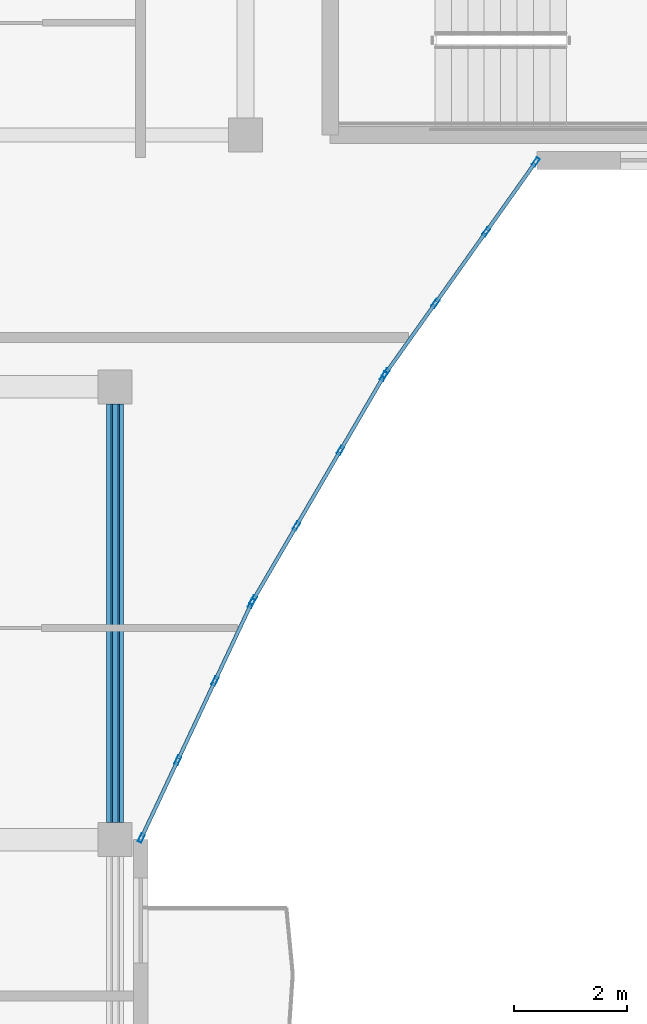
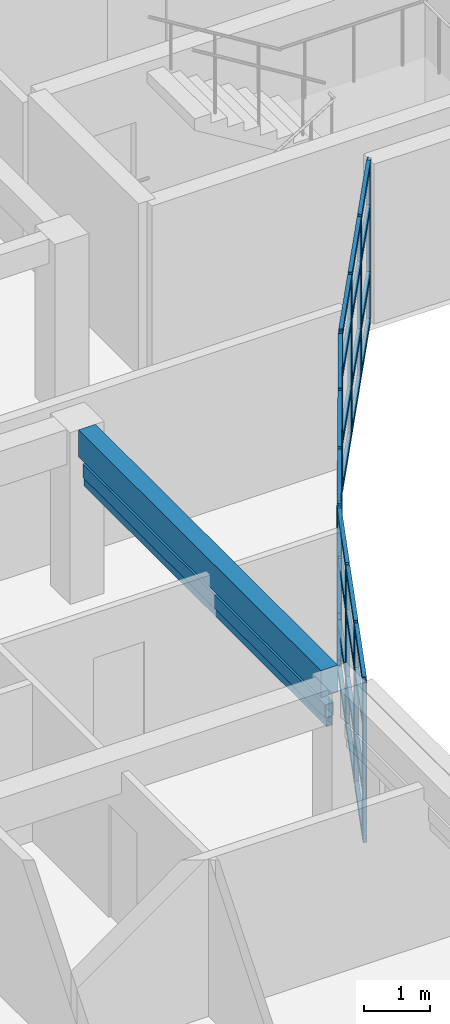
# One storey, part 2 of 71: 50 members, 1 beam, 3 elements without a shape of their own.
"""IFC4 building model written with IfcOpenShell, lengths in metres."""

from ifc_helpers import new_model, si_unit, direction, frame, origin, origin_2d, place, context, subcontext, project, spatial, rectangle, hollow_rectangle, extrude, material, layer, layer_set, material_profile, profile_set, type_object, element, aggregate, save


model = new_model("IFC4")

# Units and contexts
model_context = context("Model", 3, precision=1e-05, world=origin(), true_north=direction((0.0, 1.0)))
body_context = subcontext(model_context, "Body", "Model", "MODEL_VIEW")
ifc_project = project(units=[si_unit("LENGTHUNIT", "METRE"), si_unit("AREAUNIT", "SQUARE_METRE"), si_unit("VOLUMEUNIT", "CUBIC_METRE"), si_unit("PLANEANGLEUNIT", "RADIAN"), si_unit("MASSUNIT", "GRAM", prefix="KILO")], contexts=[model_context])

# Site, building, storey
site_placement = place(None, origin())
site = spatial("IfcSite", under=ifc_project, at=site_placement, CompositionType="ELEMENT")
building_placement = place(site_placement, origin())
building = spatial("IfcBuilding", under=site, at=building_placement, Name="Keldmere Railside Commons", CompositionType="ELEMENT")
storey_placement = place(building_placement, frame((0.0, 0.0, 20.159912109375)))
storey = spatial("IfcBuildingStorey", under=building, at=storey_placement, Name="L06", CompositionType="ELEMENT", Elevation=20.159912109375)

# Member
ifc_material_1 = material(Name="Steel F-36 (S355)", Category="steel")
ifc_material_profile_1 = material_profile(ifc_material_1, hollow_rectangle(XDim=0.14990234375, YDim=0.25, WallThickness=0.010009765625, at=origin_2d()), Name="RHS-250x150x10")
ifc_profile_set_1 = profile_set([ifc_material_profile_1], Name="Steel F-36 (S355)")
member_type_1 = type_object("IfcMemberType", Name="Balcony Continuous Planted Trough RHS250x150", PredefinedType="CHORD", material=ifc_profile_set_1)
member_1_placement = place(storey_placement, frame((23.550048828125, 88.300048828125, 2.4150390625), z_axis=(0.0, 1.0, 0.0), x_axis=(-1.0, 0.0, 0.0)))
element("IfcMember", 1, at=member_1_placement, inside=storey, type_object=member_type_1, Name="PLT-1 MEM-BPLT-0691", PredefinedType="CHORD", context=body_context, shape_type="SweptSolid", body=[
    extrude(hollow_rectangle(XDim=0.14990234375, YDim=0.25, WallThickness=0.010009765625, at=origin_2d()), origin(), (0.0, 0.0, 1.0), 7.39990234375),
])

# Beam
ifc_material_2 = material(Name="Concrete H-30 (C30/37)", Category="concrete")
ifc_material_profile_2 = material_profile(ifc_material_2, rectangle(XDim=0.300048828125, YDim=0.5, at=origin_2d()), Name="RC-300x500")
ifc_profile_set_2 = profile_set([ifc_material_profile_2], Name="Concrete H-30 (C30/37)")
beam_type = type_object("IfcBeamType", Name="Secondary Frame RC Beam 300x500", PredefinedType="BEAM", material=ifc_profile_set_2)
beam_placement = place(storey_placement, frame((23.550048828125, 88.300048828125, 2.9501953125), z_axis=(0.0, 1.0, 0.0), x_axis=(-1.0, 0.0, 0.0)))
element("IfcBeam", 2, at=beam_placement, inside=storey, type_object=beam_type, Name="BG-5 BM-L06-1952", PredefinedType="BEAM", context=body_context, shape_type="SweptSolid", body=[
    extrude(rectangle(XDim=0.300048828125, YDim=0.5, at=origin_2d()), origin(), (0.0, 0.0, 1.0), 7.39990234375),
])

# Member
ifc_material_profile_3 = material_profile(ifc_material_1, hollow_rectangle(XDim=0.10009765625, YDim=0.159912109375, WallThickness=0.008056640625, at=origin_2d()), Name="RHS-160x100x8")
ifc_profile_set_3 = profile_set([ifc_material_profile_3], Name="Steel F-36 (S355)")
member_type_2 = type_object("IfcMemberType", Name="Solar Brise-Soleil Louvre Fin RHS160x100", PredefinedType="STRUT", material=ifc_profile_set_3)
member_2_placement = place(storey_placement, frame((23.550048828125, 88.300048828125, 2.2001953125), z_axis=(0.0, 1.0, 0.0), x_axis=(-1.0, 0.0, 0.0)))
element("IfcMember", 3, at=member_2_placement, inside=storey, type_object=member_type_2, Name="BSF-1 MEM-BSF-0692", PredefinedType="STRUT", context=body_context, shape_type="SweptSolid", body=[
    extrude(hollow_rectangle(XDim=0.10009765625, YDim=0.159912109375, WallThickness=0.008056640625, at=origin_2d()), origin(), (0.0, 0.0, 1.0), 7.39990234375),
])

# Curtain wall, members
ifc_material_3 = material(Name="Thermally Broken Aluminium", Category="aluminium")
ifc_layer_1 = layer(ifc_material_3, 0.159912109375, Name="Court Chord Wintergarden CW 4800x2850")
ifc_layer_set_1 = layer_set([ifc_layer_1], Name="Thermally Broken Aluminium")
curtain_wall_type_1 = type_object("IfcCurtainWallType", Name="Court Chord Wintergarden CW 4800x2850", PredefinedType="NOTDEFINED", material=ifc_layer_set_1)
curtain_wall_1_placement = place(storey_placement, origin())
curtain_wall_1 = element("IfcCurtainWall", 4, at=curtain_wall_1_placement, inside=storey, type_object=curtain_wall_type_1, Name="CW-12 CW-L06-019", PredefinedType="NOTDEFINED")
ifc_material_profile_4 = material_profile(ifc_material_3, hollow_rectangle(XDim=0.06494140625, YDim=0.159912109375, WallThickness=0.00390625, at=origin_2d()), Name="ALU-MULL-65x160")
ifc_profile_set_4 = profile_set([ifc_material_profile_4], Name="Thermally Broken Aluminium")
member_type_3 = type_object("IfcMemberType", Name="Unitised Curtain Wall Mullion 65x160", PredefinedType="MULLION", material=ifc_profile_set_4)
member_3_placement = place(storey_placement, frame((25.958251953125, 92.173583984375, 0.0), z_axis=(0.0, 0.0, 1.0), x_axis=(0.905306255478, -0.424759442264, 0.0)))
member_3 = element("IfcMember", 5, at=member_3_placement, type_object=member_type_3, Name="CW-12 mullion 1", PredefinedType="MULLION", context=body_context, shape_type="SweptSolid", body=[
    extrude(hollow_rectangle(XDim=0.06494140625, YDim=0.159912109375, WallThickness=0.00390625, at=origin_2d()), origin(), (0.0, 0.0, 1.0), 2.97998046875),
])
member_4_placement = place(storey_placement, frame((25.314697265625, 90.802001953125, 0.0), z_axis=(0.0, 0.0, 1.0), x_axis=(0.905306255478, -0.424759442264, 0.0)))
member_4 = element("IfcMember", 6, at=member_4_placement, type_object=member_type_3, Name="CW-12 mullion 2", PredefinedType="MULLION", context=body_context, shape_type="SweptSolid", body=[
    extrude(hollow_rectangle(XDim=0.06494140625, YDim=0.159912109375, WallThickness=0.00390625, at=origin_2d()), origin(), (0.0, 0.0, 1.0), 2.97998046875),
])
member_5_placement = place(storey_placement, frame((24.6572265625, 89.40087890625, 0.0), z_axis=(0.0, 0.0, 1.0), x_axis=(0.905306255478, -0.424759442264, 0.0)))
member_5 = element("IfcMember", 7, at=member_5_placement, type_object=member_type_3, Name="CW-12 mullion 3", PredefinedType="MULLION", context=body_context, shape_type="SweptSolid", body=[
    extrude(hollow_rectangle(XDim=0.06494140625, YDim=0.159912109375, WallThickness=0.00390625, at=origin_2d()), origin(), (0.0, 0.0, 1.0), 2.97998046875),
])
member_6_placement = place(storey_placement, frame((24.013916015625, 88.029541015625, 0.0), z_axis=(0.0, 0.0, 1.0), x_axis=(0.905306255478, -0.424759442264, 0.0)))
member_6 = element("IfcMember", 8, at=member_6_placement, type_object=member_type_3, Name="CW-12 mullion 4", PredefinedType="MULLION", context=body_context, shape_type="SweptSolid", body=[
    extrude(hollow_rectangle(XDim=0.06494140625, YDim=0.159912109375, WallThickness=0.00390625, at=origin_2d()), origin(), (0.0, 0.0, 1.0), 2.97998046875),
])

ifc_layer_2 = layer(ifc_material_3, 0.159912109375, Name="Court Chord Wintergarden CW 5400x2850")
ifc_layer_set_2 = layer_set([ifc_layer_2], Name="Thermally Broken Aluminium")
curtain_wall_type_2 = type_object("IfcCurtainWallType", Name="Court Chord Wintergarden CW 5400x2850", PredefinedType="NOTDEFINED", material=ifc_layer_set_2)
curtain_wall_2_placement = place(storey_placement, origin())
curtain_wall_2 = element("IfcCurtainWall", 9, at=curtain_wall_2_placement, inside=storey, type_object=curtain_wall_type_2, Name="CW-13 CW-L06-020", PredefinedType="NOTDEFINED")
member_7_placement = place(storey_placement, frame((28.295654296875, 96.18603515625, 0.0), z_axis=(0.0, 0.0, 1.0), x_axis=(0.86375546846, -0.503911193272, 0.0)))
member_7 = element("IfcMember", 10, at=member_7_placement, type_object=member_type_3, Name="CW-13 mullion 1", PredefinedType="MULLION", context=body_context, shape_type="SweptSolid", body=[
    extrude(hollow_rectangle(XDim=0.06494140625, YDim=0.159912109375, WallThickness=0.00390625, at=origin_2d()), origin(), (0.0, 0.0, 1.0), 2.97998046875),
])
member_8_placement = place(storey_placement, frame((27.531982421875, 94.876953125, 0.0), z_axis=(0.0, 0.0, 1.0), x_axis=(0.86375546846, -0.503911193272, 0.0)))
member_8 = element("IfcMember", 11, at=member_8_placement, type_object=member_type_3, Name="CW-13 mullion 2", PredefinedType="MULLION", context=body_context, shape_type="SweptSolid", body=[
    extrude(hollow_rectangle(XDim=0.06494140625, YDim=0.159912109375, WallThickness=0.00390625, at=origin_2d()), origin(), (0.0, 0.0, 1.0), 2.97998046875),
])
member_9_placement = place(storey_placement, frame((26.751953125, 93.5400390625, 0.0), z_axis=(0.0, 0.0, 1.0), x_axis=(0.86375546846, -0.503911193272, 0.0)))
member_9 = element("IfcMember", 12, at=member_9_placement, type_object=member_type_3, Name="CW-13 mullion 3", PredefinedType="MULLION", context=body_context, shape_type="SweptSolid", body=[
    extrude(hollow_rectangle(XDim=0.06494140625, YDim=0.159912109375, WallThickness=0.00390625, at=origin_2d()), origin(), (0.0, 0.0, 1.0), 2.97998046875),
])
member_10_placement = place(storey_placement, frame((25.98828125, 92.23095703125, 0.0), z_axis=(0.0, 0.0, 1.0), x_axis=(0.86375546846, -0.503911193272, 0.0)))
member_10 = element("IfcMember", 13, at=member_10_placement, type_object=member_type_3, Name="CW-13 mullion 4", PredefinedType="MULLION", context=body_context, shape_type="SweptSolid", body=[
    extrude(hollow_rectangle(XDim=0.06494140625, YDim=0.159912109375, WallThickness=0.00390625, at=origin_2d()), origin(), (0.0, 0.0, 1.0), 2.97998046875),
])

curtain_wall_3_placement = place(storey_placement, origin())
curtain_wall_3 = element("IfcCurtainWall", 14, at=curtain_wall_3_placement, inside=storey, type_object=curtain_wall_type_1, Name="CW-12 CW-L06-021", PredefinedType="NOTDEFINED")
member_11_placement = place(storey_placement, frame((30.981201171875, 99.973388671875, 0.0), z_axis=(0.0, 0.0, 1.0), x_axis=(0.815389084395, -0.578913327753, 0.0)))
member_11 = element("IfcMember", 15, at=member_11_placement, type_object=member_type_3, Name="CW-12 mullion 1", PredefinedType="MULLION", context=body_context, shape_type="SweptSolid", body=[
    extrude(hollow_rectangle(XDim=0.06494140625, YDim=0.159912109375, WallThickness=0.00390625, at=origin_2d()), origin(), (0.0, 0.0, 1.0), 2.97998046875),
])
member_12_placement = place(storey_placement, frame((30.10400390625, 98.738037109375, 0.0), z_axis=(0.0, 0.0, 1.0), x_axis=(0.815389084395, -0.578913327753, 0.0)))
member_12 = element("IfcMember", 16, at=member_12_placement, type_object=member_type_3, Name="CW-12 mullion 2", PredefinedType="MULLION", context=body_context, shape_type="SweptSolid", body=[
    extrude(hollow_rectangle(XDim=0.06494140625, YDim=0.159912109375, WallThickness=0.00390625, at=origin_2d()), origin(), (0.0, 0.0, 1.0), 2.97998046875),
])
member_13_placement = place(storey_placement, frame((29.2080078125, 97.47607421875, 0.0), z_axis=(0.0, 0.0, 1.0), x_axis=(0.815389084395, -0.578913327753, 0.0)))
member_13 = element("IfcMember", 17, at=member_13_placement, type_object=member_type_3, Name="CW-12 mullion 3", PredefinedType="MULLION", context=body_context, shape_type="SweptSolid", body=[
    extrude(hollow_rectangle(XDim=0.06494140625, YDim=0.159912109375, WallThickness=0.00390625, at=origin_2d()), origin(), (0.0, 0.0, 1.0), 2.97998046875),
])
member_14_placement = place(storey_placement, frame((28.330810546875, 96.240478515625, 0.0), z_axis=(0.0, 0.0, 1.0), x_axis=(0.815389084395, -0.578913327753, 0.0)))
member_14 = element("IfcMember", 18, at=member_14_placement, type_object=member_type_3, Name="CW-12 mullion 4", PredefinedType="MULLION", context=body_context, shape_type="SweptSolid", body=[
    extrude(hollow_rectangle(XDim=0.06494140625, YDim=0.159912109375, WallThickness=0.00390625, at=origin_2d()), origin(), (0.0, 0.0, 1.0), 2.97998046875),
])

# Member
ifc_material_profile_5 = material_profile(ifc_material_3, hollow_rectangle(XDim=0.06494140625, YDim=0.1201171875, WallThickness=0.00390625, at=origin_2d()), Name="ALU-TRAN-65x120")
ifc_profile_set_5 = profile_set([ifc_material_profile_5], Name="Thermally Broken Aluminium")
member_type_4 = type_object("IfcMemberType", Name="Unitised Curtain Wall Transom 65x120", PredefinedType="USERDEFINED", material=ifc_profile_set_5)
member_15_placement = place(storey_placement, frame((25.9443359375, 92.14404296875, 0.032470703125), z_axis=(-0.424847998455, -0.905264700631, 0.0), x_axis=(0.905264700631, -0.424847998455, 0.0)))
member_15 = element("IfcMember", 19, at=member_15_placement, type_object=member_type_4, Name="CW-12 transom 1.1", ObjectType="TRANSOM", PredefinedType="USERDEFINED", context=body_context, shape_type="SweptSolid", body=[
    extrude(hollow_rectangle(XDim=0.06494140625, YDim=0.1201171875, WallThickness=0.00390625, at=origin_2d()), origin(), (0.0, 0.0, 1.0), 1.449951171875),
])

member_16_placement = place(storey_placement, frame((25.9443359375, 92.14404296875, 0.900146484375), z_axis=(-0.424847998455, -0.905264700631, 0.0), x_axis=(0.905264700631, -0.424847998455, 0.0)))
member_16 = element("IfcMember", 20, at=member_16_placement, type_object=member_type_4, Name="CW-12 transom 1.2", ObjectType="TRANSOM", PredefinedType="USERDEFINED", context=body_context, shape_type="SweptSolid", body=[
    extrude(hollow_rectangle(XDim=0.06494140625, YDim=0.1201171875, WallThickness=0.00390625, at=origin_2d()), origin(), (0.0, 0.0, 1.0), 1.449951171875),
])

member_17_placement = place(storey_placement, frame((25.9443359375, 92.14404296875, 2.150146484375), z_axis=(-0.424847998455, -0.905264700631, 0.0), x_axis=(0.905264700631, -0.424847998455, 0.0)))
member_17 = element("IfcMember", 21, at=member_17_placement, type_object=member_type_4, Name="CW-12 transom 1.3", ObjectType="TRANSOM", PredefinedType="USERDEFINED", context=body_context, shape_type="SweptSolid", body=[
    extrude(hollow_rectangle(XDim=0.06494140625, YDim=0.1201171875, WallThickness=0.00390625, at=origin_2d()), origin(), (0.0, 0.0, 1.0), 1.449951171875),
])

member_18_placement = place(storey_placement, frame((25.9443359375, 92.14404296875, 2.947509765625), z_axis=(-0.424847998455, -0.905264700631, 0.0), x_axis=(0.905264700631, -0.424847998455, 0.0)))
member_18 = element("IfcMember", 22, at=member_18_placement, type_object=member_type_4, Name="CW-12 transom 1.4", ObjectType="TRANSOM", PredefinedType="USERDEFINED", context=body_context, shape_type="SweptSolid", body=[
    extrude(hollow_rectangle(XDim=0.06494140625, YDim=0.1201171875, WallThickness=0.00390625, at=origin_2d()), origin(), (0.0, 0.0, 1.0), 1.449951171875),
])

member_19_placement = place(storey_placement, frame((25.30078125, 90.7724609375, 0.032470703125), z_axis=(-0.424741875375, -0.905314497455, 0.0), x_axis=(0.905314497455, -0.424741875375, 0.0)))
member_19 = element("IfcMember", 23, at=member_19_placement, type_object=member_type_4, Name="CW-12 transom 2.1", ObjectType="TRANSOM", PredefinedType="USERDEFINED", context=body_context, shape_type="SweptSolid", body=[
    extrude(hollow_rectangle(XDim=0.06494140625, YDim=0.1201171875, WallThickness=0.00390625, at=origin_2d()), origin(), (0.0, 0.0, 1.0), 1.482421875),
])

member_20_placement = place(storey_placement, frame((25.30078125, 90.7724609375, 0.900146484375), z_axis=(-0.424741875375, -0.905314497455, 0.0), x_axis=(0.905314497455, -0.424741875375, 0.0)))
member_20 = element("IfcMember", 24, at=member_20_placement, type_object=member_type_4, Name="CW-12 transom 2.2", ObjectType="TRANSOM", PredefinedType="USERDEFINED", context=body_context, shape_type="SweptSolid", body=[
    extrude(hollow_rectangle(XDim=0.06494140625, YDim=0.1201171875, WallThickness=0.00390625, at=origin_2d()), origin(), (0.0, 0.0, 1.0), 1.482421875),
])

member_21_placement = place(storey_placement, frame((25.30078125, 90.7724609375, 2.150146484375), z_axis=(-0.424741875375, -0.905314497455, 0.0), x_axis=(0.905314497455, -0.424741875375, 0.0)))
member_21 = element("IfcMember", 25, at=member_21_placement, type_object=member_type_4, Name="CW-12 transom 2.3", ObjectType="TRANSOM", PredefinedType="USERDEFINED", context=body_context, shape_type="SweptSolid", body=[
    extrude(hollow_rectangle(XDim=0.06494140625, YDim=0.1201171875, WallThickness=0.00390625, at=origin_2d()), origin(), (0.0, 0.0, 1.0), 1.482421875),
])

member_22_placement = place(storey_placement, frame((25.30078125, 90.7724609375, 2.947509765625), z_axis=(-0.424741875375, -0.905314497455, 0.0), x_axis=(0.905314497455, -0.424741875375, 0.0)))
member_22 = element("IfcMember", 26, at=member_22_placement, type_object=member_type_4, Name="CW-12 transom 2.4", ObjectType="TRANSOM", PredefinedType="USERDEFINED", context=body_context, shape_type="SweptSolid", body=[
    extrude(hollow_rectangle(XDim=0.06494140625, YDim=0.1201171875, WallThickness=0.00390625, at=origin_2d()), origin(), (0.0, 0.0, 1.0), 1.482421875),
])

member_23_placement = place(storey_placement, frame((24.6435546875, 89.37158203125, 0.032470703125), z_axis=(-0.424783244458, -0.905295087376, 0.0), x_axis=(0.905295087376, -0.424783244458, 0.0)))
member_23 = element("IfcMember", 27, at=member_23_placement, type_object=member_type_4, Name="CW-12 transom 3.1", ObjectType="TRANSOM", PredefinedType="USERDEFINED", context=body_context, shape_type="SweptSolid", body=[
    extrude(hollow_rectangle(XDim=0.06494140625, YDim=0.1201171875, WallThickness=0.00390625, at=origin_2d()), origin(), (0.0, 0.0, 1.0), 1.449951171875),
])

member_24_placement = place(storey_placement, frame((24.6435546875, 89.37158203125, 0.900146484375), z_axis=(-0.424783244458, -0.905295087376, 0.0), x_axis=(0.905295087376, -0.424783244458, 0.0)))
member_24 = element("IfcMember", 28, at=member_24_placement, type_object=member_type_4, Name="CW-12 transom 3.2", ObjectType="TRANSOM", PredefinedType="USERDEFINED", context=body_context, shape_type="SweptSolid", body=[
    extrude(hollow_rectangle(XDim=0.06494140625, YDim=0.1201171875, WallThickness=0.00390625, at=origin_2d()), origin(), (0.0, 0.0, 1.0), 1.449951171875),
])

member_25_placement = place(storey_placement, frame((24.6435546875, 89.37158203125, 2.150146484375), z_axis=(-0.424783244458, -0.905295087376, 0.0), x_axis=(0.905295087376, -0.424783244458, 0.0)))
member_25 = element("IfcMember", 29, at=member_25_placement, type_object=member_type_4, Name="CW-12 transom 3.3", ObjectType="TRANSOM", PredefinedType="USERDEFINED", context=body_context, shape_type="SweptSolid", body=[
    extrude(hollow_rectangle(XDim=0.06494140625, YDim=0.1201171875, WallThickness=0.00390625, at=origin_2d()), origin(), (0.0, 0.0, 1.0), 1.449951171875),
])

member_26_placement = place(storey_placement, frame((24.6435546875, 89.37158203125, 2.947509765625), z_axis=(-0.424783244458, -0.905295087376, 0.0), x_axis=(0.905295087376, -0.424783244458, 0.0)))
member_26 = element("IfcMember", 30, at=member_26_placement, type_object=member_type_4, Name="CW-12 transom 3.4", ObjectType="TRANSOM", PredefinedType="USERDEFINED", context=body_context, shape_type="SweptSolid", body=[
    extrude(hollow_rectangle(XDim=0.06494140625, YDim=0.1201171875, WallThickness=0.00390625, at=origin_2d()), origin(), (0.0, 0.0, 1.0), 1.449951171875),
])

aggregate(curtain_wall_1, [member_3, member_4, member_5, member_6, member_15, member_16, member_17, member_18, member_19, member_20, member_21, member_22, member_23, member_24, member_25, member_26])

member_27_placement = place(storey_placement, frame((28.279296875, 96.157958984375, 0.032470703125), z_axis=(-0.503912883812, -0.863754482205, 0.0), x_axis=(0.863754482205, -0.503912883812, 0.0)))
member_27 = element("IfcMember", 31, at=member_27_placement, type_object=member_type_4, Name="CW-13 transom 1.1", ObjectType="TRANSOM", PredefinedType="USERDEFINED", context=body_context, shape_type="SweptSolid", body=[
    extrude(hollow_rectangle(XDim=0.06494140625, YDim=0.1201171875, WallThickness=0.00390625, at=origin_2d()), origin(), (0.0, 0.0, 1.0), 1.45068359375),
])

member_28_placement = place(storey_placement, frame((28.279296875, 96.157958984375, 0.900146484375), z_axis=(-0.503912883812, -0.863754482205, 0.0), x_axis=(0.863754482205, -0.503912883812, 0.0)))
member_28 = element("IfcMember", 32, at=member_28_placement, type_object=member_type_4, Name="CW-13 transom 1.2", ObjectType="TRANSOM", PredefinedType="USERDEFINED", context=body_context, shape_type="SweptSolid", body=[
    extrude(hollow_rectangle(XDim=0.06494140625, YDim=0.1201171875, WallThickness=0.00390625, at=origin_2d()), origin(), (0.0, 0.0, 1.0), 1.45068359375),
])

member_29_placement = place(storey_placement, frame((28.279296875, 96.157958984375, 2.150146484375), z_axis=(-0.503912883812, -0.863754482205, 0.0), x_axis=(0.863754482205, -0.503912883812, 0.0)))
member_29 = element("IfcMember", 33, at=member_29_placement, type_object=member_type_4, Name="CW-13 transom 1.3", ObjectType="TRANSOM", PredefinedType="USERDEFINED", context=body_context, shape_type="SweptSolid", body=[
    extrude(hollow_rectangle(XDim=0.06494140625, YDim=0.1201171875, WallThickness=0.00390625, at=origin_2d()), origin(), (0.0, 0.0, 1.0), 1.45068359375),
])

member_30_placement = place(storey_placement, frame((28.279296875, 96.157958984375, 2.947509765625), z_axis=(-0.503912883812, -0.863754482205, 0.0), x_axis=(0.863754482205, -0.503912883812, 0.0)))
member_30 = element("IfcMember", 34, at=member_30_placement, type_object=member_type_4, Name="CW-13 transom 1.4", ObjectType="TRANSOM", PredefinedType="USERDEFINED", context=body_context, shape_type="SweptSolid", body=[
    extrude(hollow_rectangle(XDim=0.06494140625, YDim=0.1201171875, WallThickness=0.00390625, at=origin_2d()), origin(), (0.0, 0.0, 1.0), 1.45068359375),
])

member_31_placement = place(storey_placement, frame((27.515625, 94.848876953125, 0.032470703125), z_axis=(-0.503973390927, -0.863719179616, 0.0), x_axis=(0.863719179616, -0.503973390927, 0.0)))
member_31 = element("IfcMember", 35, at=member_31_placement, type_object=member_type_4, Name="CW-13 transom 2.1", ObjectType="TRANSOM", PredefinedType="USERDEFINED", context=body_context, shape_type="SweptSolid", body=[
    extrude(hollow_rectangle(XDim=0.06494140625, YDim=0.1201171875, WallThickness=0.00390625, at=origin_2d()), origin(), (0.0, 0.0, 1.0), 1.48291015625),
])

member_32_placement = place(storey_placement, frame((27.515625, 94.848876953125, 0.900146484375), z_axis=(-0.503973390927, -0.863719179616, 0.0), x_axis=(0.863719179616, -0.503973390927, 0.0)))
member_32 = element("IfcMember", 36, at=member_32_placement, type_object=member_type_4, Name="CW-13 transom 2.2", ObjectType="TRANSOM", PredefinedType="USERDEFINED", context=body_context, shape_type="SweptSolid", body=[
    extrude(hollow_rectangle(XDim=0.06494140625, YDim=0.1201171875, WallThickness=0.00390625, at=origin_2d()), origin(), (0.0, 0.0, 1.0), 1.48291015625),
])

member_33_placement = place(storey_placement, frame((27.515625, 94.848876953125, 2.150146484375), z_axis=(-0.503973390927, -0.863719179616, 0.0), x_axis=(0.863719179616, -0.503973390927, 0.0)))
member_33 = element("IfcMember", 37, at=member_33_placement, type_object=member_type_4, Name="CW-13 transom 2.3", ObjectType="TRANSOM", PredefinedType="USERDEFINED", context=body_context, shape_type="SweptSolid", body=[
    extrude(hollow_rectangle(XDim=0.06494140625, YDim=0.1201171875, WallThickness=0.00390625, at=origin_2d()), origin(), (0.0, 0.0, 1.0), 1.48291015625),
])

member_34_placement = place(storey_placement, frame((27.515625, 94.848876953125, 2.947509765625), z_axis=(-0.503973390927, -0.863719179616, 0.0), x_axis=(0.863719179616, -0.503973390927, 0.0)))
member_34 = element("IfcMember", 38, at=member_34_placement, type_object=member_type_4, Name="CW-13 transom 2.4", ObjectType="TRANSOM", PredefinedType="USERDEFINED", context=body_context, shape_type="SweptSolid", body=[
    extrude(hollow_rectangle(XDim=0.06494140625, YDim=0.1201171875, WallThickness=0.00390625, at=origin_2d()), origin(), (0.0, 0.0, 1.0), 1.48291015625),
])

member_35_placement = place(storey_placement, frame((26.735595703125, 93.511962890625, 0.032470703125), z_axis=(-0.503912883812, -0.863754482205, 0.0), x_axis=(0.863754482205, -0.503912883812, 0.0)))
member_35 = element("IfcMember", 39, at=member_35_placement, type_object=member_type_4, Name="CW-13 transom 3.1", ObjectType="TRANSOM", PredefinedType="USERDEFINED", context=body_context, shape_type="SweptSolid", body=[
    extrude(hollow_rectangle(XDim=0.06494140625, YDim=0.1201171875, WallThickness=0.00390625, at=origin_2d()), origin(), (0.0, 0.0, 1.0), 1.45068359375),
])

member_36_placement = place(storey_placement, frame((26.735595703125, 93.511962890625, 0.900146484375), z_axis=(-0.503912883812, -0.863754482205, 0.0), x_axis=(0.863754482205, -0.503912883812, 0.0)))
member_36 = element("IfcMember", 40, at=member_36_placement, type_object=member_type_4, Name="CW-13 transom 3.2", ObjectType="TRANSOM", PredefinedType="USERDEFINED", context=body_context, shape_type="SweptSolid", body=[
    extrude(hollow_rectangle(XDim=0.06494140625, YDim=0.1201171875, WallThickness=0.00390625, at=origin_2d()), origin(), (0.0, 0.0, 1.0), 1.45068359375),
])

member_37_placement = place(storey_placement, frame((26.735595703125, 93.511962890625, 2.150146484375), z_axis=(-0.503912883812, -0.863754482205, 0.0), x_axis=(0.863754482205, -0.503912883812, 0.0)))
member_37 = element("IfcMember", 41, at=member_37_placement, type_object=member_type_4, Name="CW-13 transom 3.3", ObjectType="TRANSOM", PredefinedType="USERDEFINED", context=body_context, shape_type="SweptSolid", body=[
    extrude(hollow_rectangle(XDim=0.06494140625, YDim=0.1201171875, WallThickness=0.00390625, at=origin_2d()), origin(), (0.0, 0.0, 1.0), 1.45068359375),
])

member_38_placement = place(storey_placement, frame((26.735595703125, 93.511962890625, 2.947509765625), z_axis=(-0.503912883812, -0.863754482205, 0.0), x_axis=(0.863754482205, -0.503912883812, 0.0)))
member_38 = element("IfcMember", 42, at=member_38_placement, type_object=member_type_4, Name="CW-13 transom 3.4", ObjectType="TRANSOM", PredefinedType="USERDEFINED", context=body_context, shape_type="SweptSolid", body=[
    extrude(hollow_rectangle(XDim=0.06494140625, YDim=0.1201171875, WallThickness=0.00390625, at=origin_2d()), origin(), (0.0, 0.0, 1.0), 1.45068359375),
])

aggregate(curtain_wall_2, [member_7, member_8, member_9, member_10, member_27, member_28, member_29, member_30, member_31, member_32, member_33, member_34, member_35, member_36, member_37, member_38])

member_39_placement = place(storey_placement, frame((30.96240234375, 99.947021484375, 0.032470703125), z_axis=(-0.578895059002, -0.815402054611, 0.0), x_axis=(0.815402054611, -0.578895059002, 0.0)))
member_39 = element("IfcMember", 43, at=member_39_placement, type_object=member_type_4, Name="CW-12 transom 1.1", ObjectType="TRANSOM", PredefinedType="USERDEFINED", context=body_context, shape_type="SweptSolid", body=[
    extrude(hollow_rectangle(XDim=0.06494140625, YDim=0.1201171875, WallThickness=0.00390625, at=origin_2d()), origin(), (0.0, 0.0, 1.0), 1.450439453125),
])

member_40_placement = place(storey_placement, frame((30.96240234375, 99.947021484375, 0.900146484375), z_axis=(-0.578895059002, -0.815402054611, 0.0), x_axis=(0.815402054611, -0.578895059002, 0.0)))
member_40 = element("IfcMember", 44, at=member_40_placement, type_object=member_type_4, Name="CW-12 transom 1.2", ObjectType="TRANSOM", PredefinedType="USERDEFINED", context=body_context, shape_type="SweptSolid", body=[
    extrude(hollow_rectangle(XDim=0.06494140625, YDim=0.1201171875, WallThickness=0.00390625, at=origin_2d()), origin(), (0.0, 0.0, 1.0), 1.450439453125),
])

member_41_placement = place(storey_placement, frame((30.96240234375, 99.947021484375, 2.150146484375), z_axis=(-0.578895059002, -0.815402054611, 0.0), x_axis=(0.815402054611, -0.578895059002, 0.0)))
member_41 = element("IfcMember", 45, at=member_41_placement, type_object=member_type_4, Name="CW-12 transom 1.3", ObjectType="TRANSOM", PredefinedType="USERDEFINED", context=body_context, shape_type="SweptSolid", body=[
    extrude(hollow_rectangle(XDim=0.06494140625, YDim=0.1201171875, WallThickness=0.00390625, at=origin_2d()), origin(), (0.0, 0.0, 1.0), 1.450439453125),
])

member_42_placement = place(storey_placement, frame((30.96240234375, 99.947021484375, 2.947509765625), z_axis=(-0.578895059002, -0.815402054611, 0.0), x_axis=(0.815402054611, -0.578895059002, 0.0)))
member_42 = element("IfcMember", 46, at=member_42_placement, type_object=member_type_4, Name="CW-12 transom 1.4", ObjectType="TRANSOM", PredefinedType="USERDEFINED", context=body_context, shape_type="SweptSolid", body=[
    extrude(hollow_rectangle(XDim=0.06494140625, YDim=0.1201171875, WallThickness=0.00390625, at=origin_2d()), origin(), (0.0, 0.0, 1.0), 1.450439453125),
])

member_43_placement = place(storey_placement, frame((30.085205078125, 98.71142578125, 0.032470703125), z_axis=(-0.578930676765, -0.815376766593, 0.0), x_axis=(0.815376766593, -0.578930676765, 0.0)))
member_43 = element("IfcMember", 47, at=member_43_placement, type_object=member_type_4, Name="CW-12 transom 2.1", ObjectType="TRANSOM", PredefinedType="USERDEFINED", context=body_context, shape_type="SweptSolid", body=[
    extrude(hollow_rectangle(XDim=0.06494140625, YDim=0.1201171875, WallThickness=0.00390625, at=origin_2d()), origin(), (0.0, 0.0, 1.0), 1.482666015625),
])

member_44_placement = place(storey_placement, frame((30.085205078125, 98.71142578125, 0.900146484375), z_axis=(-0.578930676765, -0.815376766593, 0.0), x_axis=(0.815376766593, -0.578930676765, 0.0)))
member_44 = element("IfcMember", 48, at=member_44_placement, type_object=member_type_4, Name="CW-12 transom 2.2", ObjectType="TRANSOM", PredefinedType="USERDEFINED", context=body_context, shape_type="SweptSolid", body=[
    extrude(hollow_rectangle(XDim=0.06494140625, YDim=0.1201171875, WallThickness=0.00390625, at=origin_2d()), origin(), (0.0, 0.0, 1.0), 1.482666015625),
])

member_45_placement = place(storey_placement, frame((30.085205078125, 98.71142578125, 2.150146484375), z_axis=(-0.578930676765, -0.815376766593, 0.0), x_axis=(0.815376766593, -0.578930676765, 0.0)))
member_45 = element("IfcMember", 49, at=member_45_placement, type_object=member_type_4, Name="CW-12 transom 2.3", ObjectType="TRANSOM", PredefinedType="USERDEFINED", context=body_context, shape_type="SweptSolid", body=[
    extrude(hollow_rectangle(XDim=0.06494140625, YDim=0.1201171875, WallThickness=0.00390625, at=origin_2d()), origin(), (0.0, 0.0, 1.0), 1.482666015625),
])

member_46_placement = place(storey_placement, frame((30.085205078125, 98.71142578125, 2.947509765625), z_axis=(-0.578930676765, -0.815376766593, 0.0), x_axis=(0.815376766593, -0.578930676765, 0.0)))
member_46 = element("IfcMember", 50, at=member_46_placement, type_object=member_type_4, Name="CW-12 transom 2.4", ObjectType="TRANSOM", PredefinedType="USERDEFINED", context=body_context, shape_type="SweptSolid", body=[
    extrude(hollow_rectangle(XDim=0.06494140625, YDim=0.1201171875, WallThickness=0.00390625, at=origin_2d()), origin(), (0.0, 0.0, 1.0), 1.482666015625),
])

member_47_placement = place(storey_placement, frame((29.189208984375, 97.449462890625, 0.032470703125), z_axis=(-0.578974525468, -0.815345631533, 0.0), x_axis=(0.815345631533, -0.578974525468, 0.0)))
member_47 = element("IfcMember", 51, at=member_47_placement, type_object=member_type_4, Name="CW-12 transom 3.1", ObjectType="TRANSOM", PredefinedType="USERDEFINED", context=body_context, shape_type="SweptSolid", body=[
    extrude(hollow_rectangle(XDim=0.06494140625, YDim=0.1201171875, WallThickness=0.00390625, at=origin_2d()), origin(), (0.0, 0.0, 1.0), 1.4501953125),
])

member_48_placement = place(storey_placement, frame((29.189208984375, 97.449462890625, 0.900146484375), z_axis=(-0.578974525468, -0.815345631533, 0.0), x_axis=(0.815345631533, -0.578974525468, 0.0)))
member_48 = element("IfcMember", 52, at=member_48_placement, type_object=member_type_4, Name="CW-12 transom 3.2", ObjectType="TRANSOM", PredefinedType="USERDEFINED", context=body_context, shape_type="SweptSolid", body=[
    extrude(hollow_rectangle(XDim=0.06494140625, YDim=0.1201171875, WallThickness=0.00390625, at=origin_2d()), origin(), (0.0, 0.0, 1.0), 1.4501953125),
])

member_49_placement = place(storey_placement, frame((29.189208984375, 97.449462890625, 2.150146484375), z_axis=(-0.578974525468, -0.815345631533, 0.0), x_axis=(0.815345631533, -0.578974525468, 0.0)))
member_49 = element("IfcMember", 53, at=member_49_placement, type_object=member_type_4, Name="CW-12 transom 3.3", ObjectType="TRANSOM", PredefinedType="USERDEFINED", context=body_context, shape_type="SweptSolid", body=[
    extrude(hollow_rectangle(XDim=0.06494140625, YDim=0.1201171875, WallThickness=0.00390625, at=origin_2d()), origin(), (0.0, 0.0, 1.0), 1.4501953125),
])

member_50_placement = place(storey_placement, frame((29.189208984375, 97.449462890625, 2.947509765625), z_axis=(-0.578974525468, -0.815345631533, 0.0), x_axis=(0.815345631533, -0.578974525468, 0.0)))
member_50 = element("IfcMember", 54, at=member_50_placement, type_object=member_type_4, Name="CW-12 transom 3.4", ObjectType="TRANSOM", PredefinedType="USERDEFINED", context=body_context, shape_type="SweptSolid", body=[
    extrude(hollow_rectangle(XDim=0.06494140625, YDim=0.1201171875, WallThickness=0.00390625, at=origin_2d()), origin(), (0.0, 0.0, 1.0), 1.4501953125),
])

aggregate(curtain_wall_3, [member_11, member_12, member_13, member_14, member_39, member_40, member_41, member_42, member_43, member_44, member_45, member_46, member_47, member_48, member_49, member_50])

save(model, "model.ifc")
